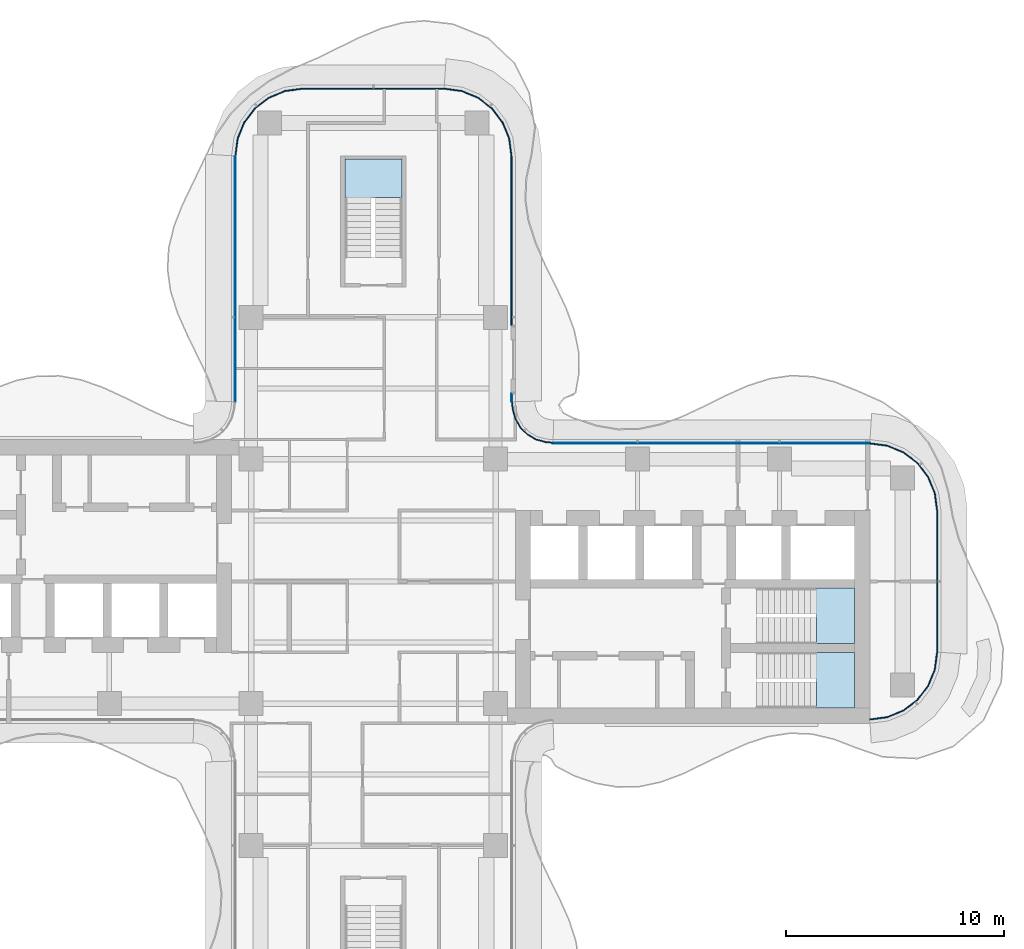
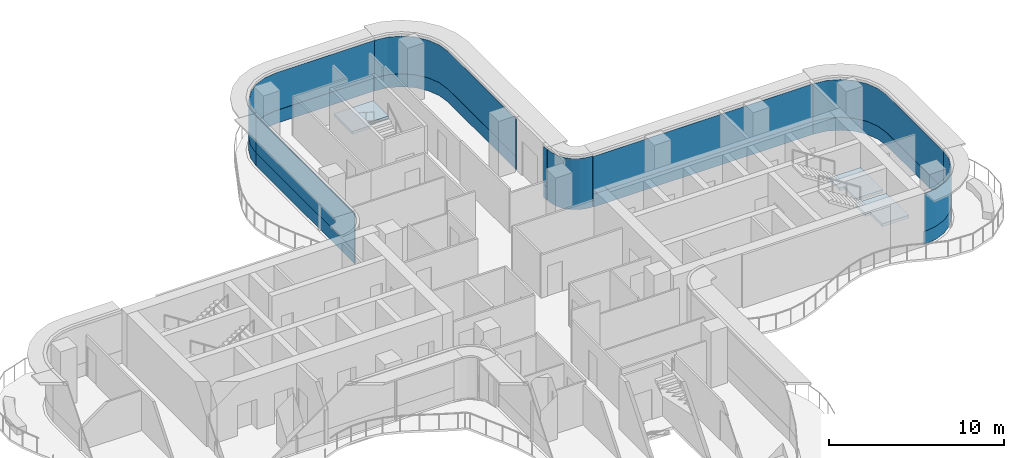
# One storey, part 10 of 17: 15 plates, 3 slabs, 11 elements without a shape of their own.
"""IFC4 building model written with IfcOpenShell, lengths in metres."""

from ifc_helpers import new_model, si_unit, direction, frame, origin, place, context, subcontext, project, spatial, polyline, outline, extrude, source, transform, mapped, material, layer, layer_set, type_object, element, aggregate, save


model = new_model("IFC4")

# Units and contexts
model_context = context("Model", 3, precision=1e-05, world=origin(), true_north=direction((0.0, 1.0)))
body_context = subcontext(model_context, "Body", "Model", "MODEL_VIEW")
ifc_project = project(units=[si_unit("LENGTHUNIT", "METRE"), si_unit("AREAUNIT", "SQUARE_METRE"), si_unit("VOLUMEUNIT", "CUBIC_METRE"), si_unit("PLANEANGLEUNIT", "RADIAN"), si_unit("MASSUNIT", "GRAM", prefix="KILO")], contexts=[model_context])

# Site, building, storey
site_placement = place(None, origin())
site = spatial("IfcSite", under=ifc_project, at=site_placement, CompositionType="ELEMENT")
building_placement = place(site_placement, origin())
building = spatial("IfcBuilding", under=site, at=building_placement, Name="Trellis Farm Tower", CompositionType="ELEMENT")
storey_placement = place(building_placement, frame((0.0, 0.0, 259.699951171875)))
storey = spatial("IfcBuildingStorey", under=building, at=storey_placement, Name="L58", CompositionType="ELEMENT", Elevation=259.699951171875)

# Curtain wall, plate
ifc_material_1 = material(Name="Aluminium and glass curtain wall", Category="aluminium")
ifc_layer_1 = layer(ifc_material_1, 0.18994140625)
ifc_layer_set_1 = layer_set([ifc_layer_1], Name="RIBBON CURTAIN WALL CW1")
curtain_wall_type_1 = type_object("IfcCurtainWallType", Name="RIBBON CURTAIN WALL CW1", PredefinedType="NOTDEFINED", material=ifc_layer_set_1)
placement_1 = place(storey_placement, origin())
curtain_wall_1 = element("IfcCurtainWall", 1, at=placement_1, inside=storey, type_object=curtain_wall_type_1, Name="CW1 008", PredefinedType="NOTDEFINED")
ifc_material_2 = material(Name="Clear insulated glass", Category="glass")
ifc_layer_2 = layer(ifc_material_2, 0.0400390625)
ifc_layer_set_2 = layer_set([ifc_layer_2], Name="CW1 GLASS PANEL 40")
plate_type_1 = type_object("IfcPlateType", Name="CW1 GLASS PANEL 40", PredefinedType="CURTAIN_PANEL", material=ifc_layer_set_2)
placement_2 = place(storey_placement, frame((0.0, 0.0, 0.900146484375)))
plate_1 = element("IfcPlate", 2, at=placement_2, type_object=plate_type_1, Name="PL1 008", PredefinedType="CURTAIN_PANEL", context=body_context, shape_type="SweptSolid", body=[
    extrude(outline(polyline([(6.35009765625, 8.2265625), (6.35009765625, 8.605712890625), (6.31005859375, 8.605712890625), (6.31005859375, 8.22509765625), (6.35009765625, 8.2265625)])), origin(), (0.0, 0.0, 1.0), 2.619873046875),
])

curtain_wall_2 = element("IfcCurtainWall", 3, at=placement_1, inside=storey, type_object=curtain_wall_type_1, Name="CW1 009", PredefinedType="NOTDEFINED")
plate_2 = element("IfcPlate", 4, at=placement_2, type_object=plate_type_1, Name="PL1 009", PredefinedType="CURTAIN_PANEL", context=body_context, shape_type="SweptSolid", body=[
    extrude(outline(polyline([(6.35009765625, 11.7255859375), (6.35009765625, 19.490234375), (6.2431640625, 20.302001953125), (5.93359375, 21.04931640625), (5.441162109375, 21.691162109375), (4.79931640625, 22.18359375), (4.052001953125, 22.4931640625), (3.240234375, 22.60009765625), (3.237548828125, 22.56005859375), (4.04150390625, 22.4541015625), (4.779296875, 22.148681640625), (5.41259765625, 21.66259765625), (5.898681640625, 21.029296875), (6.2041015625, 20.29150390625), (6.31005859375, 19.487548828125), (6.31005859375, 11.7255859375), (6.35009765625, 11.7255859375)])), origin(), (0.0, 0.0, 1.0), 2.619873046875),
])

# Plate
ifc_material_3 = material(Name="Sandstone faced insulated panel", Category="masonry")
ifc_layer_3 = layer(ifc_material_3, 0.050048828125)
ifc_layer_set_3 = layer_set([ifc_layer_3], Name="CW1 STONE SPANDREL PANEL 50")
plate_type_2 = type_object("IfcPlateType", Name="CW1 STONE SPANDREL PANEL 50", PredefinedType="CURTAIN_PANEL", material=ifc_layer_set_3)
plate_3 = element("IfcPlate", 5, at=placement_1, type_object=plate_type_2, Name="PS1 008", PredefinedType="CURTAIN_PANEL", context=body_context, shape_type="SweptSolid", body=[
    extrude(outline(polyline([(6.35009765625, 8.2265625), (6.35009765625, 8.605712890625), (6.300048828125, 8.605712890625), (6.300048828125, 8.224853515625), (6.35009765625, 8.2265625)])), origin(), (0.0, 0.0, 1.0), 0.900146484375),
])

aggregate(curtain_wall_1, [plate_1, plate_3])

plate_4 = element("IfcPlate", 6, at=placement_1, type_object=plate_type_2, Name="PS1 009", PredefinedType="CURTAIN_PANEL", context=body_context, shape_type="SweptSolid", body=[
    extrude(outline(polyline([(6.35009765625, 11.7255859375), (6.35009765625, 19.490234375), (6.2431640625, 20.302001953125), (5.93359375, 21.04931640625), (5.441162109375, 21.691162109375), (4.79931640625, 22.18359375), (4.052001953125, 22.4931640625), (3.240234375, 22.60009765625), (3.23681640625, 22.550048828125), (4.0390625, 22.4443359375), (4.774169921875, 22.139892578125), (5.405517578125, 21.655517578125), (5.889892578125, 21.024169921875), (6.1943359375, 20.2890625), (6.300048828125, 19.48681640625), (6.300048828125, 11.7255859375), (6.35009765625, 11.7255859375)])), origin(), (0.0, 0.0, 1.0), 0.900146484375),
])

aggregate(curtain_wall_2, [plate_2, plate_4])

# Stair, slab
ifc_material_4 = material(Name="Concrete C50/60", Category="concrete")
stair_type = type_object("IfcStairType", Name="CORE EXIT STAIR 22 RISERS 177 MM", PredefinedType="HALF_TURN_STAIR", material=ifc_material_4)
stair_1 = element("IfcStair", 7, at=placement_1, inside=storey, type_object=stair_type, Name="Exit stair N", PredefinedType="HALF_TURN_STAIR")
ifc_layer_4 = layer(ifc_material_4, 0.18994140625)
ifc_layer_set_4 = layer_set([ifc_layer_4], Name="CORE STAIR LANDING 190 CONCRETE C50/60")
slab_type = type_object("IfcSlabType", Name="CORE STAIR LANDING 190 CONCRETE C50/60", PredefinedType="LANDING", material=ifc_layer_set_4)
shared_shape_1 = source(origin(), body_context, "Body", "SweptSolid", [
    extrude(outline(polyline([(-0.10009765625, 17.27197265625), (-1.300048828125, 17.27197265625), (-1.300048828125, 17.60009765625), (-1.300048828125, 19.35009765625), (1.300048828125, 19.35009765625), (1.300048828125, 17.60009765625), (1.300048828125, 17.590087890625), (0.10009765625, 17.590087890625), (0.10009765625, 17.60009765625), (-0.10009765625, 17.60009765625), (-0.10009765625, 17.27197265625)])), origin(), (0.0, 0.0, 1.0), 0.18994140625),
])
placement_3 = place(storey_placement, frame((0.0, 0.0, 1.760009765625)))
slab_1 = element("IfcSlab", 8, at=placement_3, type_object=slab_type, Name="STN landing 1", PredefinedType="LANDING", context=body_context, shape_type="MappedRepresentation", body=[
    mapped(shared_shape_1, transform((0.0, 0.0, 0.0))),
])
aggregate(stair_1, [slab_1])

stair_2 = element("IfcStair", 9, at=placement_1, inside=storey, type_object=stair_type, Name="Exit stair E1", PredefinedType="HALF_TURN_STAIR")
shared_shape_2 = source(origin(), body_context, "Body", "SweptSolid", [
    extrude(outline(polyline([(20.2900390625, -5.800048828125), (20.2900390625, -4.60009765625), (20.300048828125, -4.60009765625), (20.300048828125, -4.449951171875), (19.971923828125, -4.449951171875), (19.971923828125, -3.25), (20.300048828125, -3.25), (22.050048828125, -3.25), (22.050048828125, -5.800048828125), (20.300048828125, -5.800048828125), (20.2900390625, -5.800048828125)])), origin(), (0.0, 0.0, 1.0), 0.18994140625),
])
slab_2 = element("IfcSlab", 10, at=placement_3, type_object=slab_type, Name="STE1 landing 1", PredefinedType="LANDING", context=body_context, shape_type="MappedRepresentation", body=[
    mapped(shared_shape_2, transform((0.0, 0.0, 0.0))),
])
aggregate(stair_2, [slab_2])

stair_3 = element("IfcStair", 11, at=placement_1, inside=storey, type_object=stair_type, Name="Exit stair E2", PredefinedType="HALF_TURN_STAIR")
shared_shape_3 = source(origin(), body_context, "Body", "SweptSolid", [
    extrude(outline(polyline([(20.2900390625, -2.85009765625), (20.2900390625, -1.64990234375), (20.300048828125, -1.64990234375), (20.300048828125, -1.5), (19.971923828125, -1.5), (19.971923828125, -0.300048828125), (20.300048828125, -0.300048828125), (22.050048828125, -0.300048828125), (22.050048828125, -2.85009765625), (20.300048828125, -2.85009765625), (20.2900390625, -2.85009765625)])), origin(), (0.0, 0.0, 1.0), 0.18994140625),
])
slab_3 = element("IfcSlab", 12, at=placement_3, type_object=slab_type, Name="STE2 landing 1", PredefinedType="LANDING", context=body_context, shape_type="MappedRepresentation", body=[
    mapped(shared_shape_3, transform((0.0, 0.0, 0.0))),
])
aggregate(stair_3, [slab_3])

# Curtain wall, plate
ifc_layer_5 = layer(ifc_material_1, 0.166015625)
ifc_layer_set_5 = layer_set([ifc_layer_5], Name="WINTER GARDEN CURTAIN WALL CW3")
curtain_wall_type_2 = type_object("IfcCurtainWallType", Name="WINTER GARDEN CURTAIN WALL CW3", PredefinedType="NOTDEFINED", material=ifc_layer_set_5)
curtain_wall_3 = element("IfcCurtainWall", 13, at=placement_1, inside=storey, type_object=curtain_wall_type_2, Name="CW3 003", PredefinedType="NOTDEFINED")
ifc_layer_6 = layer(ifc_material_2, 0.0458984375)
ifc_layer_set_6 = layer_set([ifc_layer_6], Name="CW3 GLASS PANEL 46")
plate_type_3 = type_object("IfcPlateType", Name="CW3 GLASS PANEL 46", PredefinedType="CURTAIN_PANEL", material=ifc_layer_set_6)
shared_shape_4 = source(origin(), body_context, "Body", "SweptSolid", [
    extrude(outline(polyline([(8.2275390625, 6.3798828125), (8.0078125, 6.394287109375), (7.89208984375, 6.40966796875), (7.462158203125, 6.52490234375), (7.070556640625, 6.7509765625), (6.7509765625, 7.070556640625), (6.52490234375, 7.462158203125), (6.40966796875, 7.89208984375), (6.394287109375, 8.0078125), (6.3798828125, 8.2275390625), (6.333984375, 8.22607421875), (6.3486328125, 8.003173828125), (6.364501953125, 7.883056640625), (6.48193359375, 7.4443359375), (6.714111328125, 7.04248046875), (7.04248046875, 6.714111328125), (7.4443359375, 6.48193359375), (7.883056640625, 6.364501953125), (8.003173828125, 6.3486328125), (8.22607421875, 6.333984375), (8.2275390625, 6.3798828125)])), origin(), (0.0, 0.0, 1.0), 3.550048828125),
])
plate_5 = element("IfcPlate", 14, at=placement_1, type_object=plate_type_3, Name="PL3 003", PredefinedType="CURTAIN_PANEL", context=body_context, shape_type="MappedRepresentation", body=[
    mapped(shared_shape_4, transform((0.0, 0.0, 0.0))),
])
aggregate(curtain_wall_3, [plate_5])

# Curtain wall, plates
curtain_wall_4 = element("IfcCurtainWall", 15, at=placement_1, inside=storey, type_object=curtain_wall_type_1, Name="CW1 011", PredefinedType="NOTDEFINED")
shared_shape_5 = source(origin(), body_context, "Body", "SweptSolid", [
    extrude(outline(polyline([(-6.35009765625, 19.490234375), (-6.35009765625, 8.2265625), (-6.31005859375, 8.22509765625), (-6.31005859375, 19.487548828125), (-6.35009765625, 19.490234375)])), origin(), (0.0, 0.0, 1.0), 2.619873046875),
])
plate_6 = element("IfcPlate", 16, at=placement_2, type_object=plate_type_1, Name="PL1 011", PredefinedType="CURTAIN_PANEL", context=body_context, shape_type="MappedRepresentation", body=[
    mapped(shared_shape_5, transform((0.0, 0.0, 0.0))),
])
shared_shape_6 = source(origin(), body_context, "Body", "SweptSolid", [
    extrude(outline(polyline([(-6.35009765625, 19.490234375), (-6.35009765625, 8.2265625), (-6.300048828125, 8.224853515625), (-6.300048828125, 19.48681640625), (-6.35009765625, 19.490234375)])), origin(), (0.0, 0.0, 1.0), 0.900146484375),
])
plate_7 = element("IfcPlate", 17, at=placement_1, type_object=plate_type_2, Name="PS1 011", PredefinedType="CURTAIN_PANEL", context=body_context, shape_type="MappedRepresentation", body=[
    mapped(shared_shape_6, transform((0.0, 0.0, 0.0))),
])
aggregate(curtain_wall_4, [plate_6, plate_7])

curtain_wall_5 = element("IfcCurtainWall", 18, at=placement_1, inside=storey, type_object=curtain_wall_type_1, Name="CW1 010", PredefinedType="NOTDEFINED")
shared_shape_7 = source(origin(), body_context, "Body", "SweptSolid", [
    extrude(outline(polyline([(3.240234375, 22.60009765625), (-3.240234375, 22.60009765625), (-4.052001953125, 22.4931640625), (-4.79931640625, 22.18359375), (-5.441162109375, 21.691162109375), (-5.93359375, 21.04931640625), (-6.2431640625, 20.302001953125), (-6.35009765625, 19.490234375), (-6.31005859375, 19.487548828125), (-6.2041015625, 20.29150390625), (-5.898681640625, 21.029296875), (-5.41259765625, 21.66259765625), (-4.779296875, 22.148681640625), (-4.04150390625, 22.4541015625), (-3.237548828125, 22.56005859375), (3.237548828125, 22.56005859375), (3.240234375, 22.60009765625)])), origin(), (0.0, 0.0, 1.0), 2.619873046875),
])
plate_8 = element("IfcPlate", 19, at=placement_2, type_object=plate_type_1, Name="PL1 010", PredefinedType="CURTAIN_PANEL", context=body_context, shape_type="MappedRepresentation", body=[
    mapped(shared_shape_7, transform((0.0, 0.0, 0.0))),
])
shared_shape_8 = source(origin(), body_context, "Body", "SweptSolid", [
    extrude(outline(polyline([(3.240234375, 22.60009765625), (-3.240234375, 22.60009765625), (-4.052001953125, 22.4931640625), (-4.79931640625, 22.18359375), (-5.441162109375, 21.691162109375), (-5.93359375, 21.04931640625), (-6.2431640625, 20.302001953125), (-6.35009765625, 19.490234375), (-6.300048828125, 19.48681640625), (-6.1943359375, 20.2890625), (-5.889892578125, 21.024169921875), (-5.405517578125, 21.655517578125), (-4.774169921875, 22.139892578125), (-4.0390625, 22.4443359375), (-3.23681640625, 22.550048828125), (3.23681640625, 22.550048828125), (3.240234375, 22.60009765625)])), origin(), (0.0, 0.0, 1.0), 0.900146484375),
])
plate_9 = element("IfcPlate", 20, at=placement_1, type_object=plate_type_2, Name="PS1 010", PredefinedType="CURTAIN_PANEL", context=body_context, shape_type="MappedRepresentation", body=[
    mapped(shared_shape_8, transform((0.0, 0.0, 0.0))),
])
aggregate(curtain_wall_5, [plate_8, plate_9])

curtain_wall_6 = element("IfcCurtainWall", 21, at=placement_1, inside=storey, type_object=curtain_wall_type_1, Name="CW1 005", PredefinedType="NOTDEFINED")
shared_shape_9 = source(origin(), body_context, "Body", "SweptSolid", [
    extrude(outline(polyline([(22.740234375, -6.35009765625), (23.552001953125, -6.2431640625), (24.29931640625, -5.93359375), (24.941162109375, -5.441162109375), (25.43359375, -4.79931640625), (25.7431640625, -4.052001953125), (25.85009765625, -3.240234375), (25.81005859375, -3.237548828125), (25.7041015625, -4.04150390625), (25.398681640625, -4.779296875), (24.91259765625, -5.41259765625), (24.279296875, -5.898681640625), (23.54150390625, -6.2041015625), (22.737548828125, -6.31005859375), (22.740234375, -6.35009765625)])), origin(), (0.0, 0.0, 1.0), 2.619873046875),
])
plate_10 = element("IfcPlate", 22, at=placement_2, type_object=plate_type_1, Name="PL1 005", PredefinedType="CURTAIN_PANEL", context=body_context, shape_type="MappedRepresentation", body=[
    mapped(shared_shape_9, transform((0.0, 0.0, 0.0))),
])
shared_shape_10 = source(origin(), body_context, "Body", "SweptSolid", [
    extrude(outline(polyline([(22.740234375, -6.35009765625), (23.552001953125, -6.2431640625), (24.29931640625, -5.93359375), (24.941162109375, -5.441162109375), (25.43359375, -4.79931640625), (25.7431640625, -4.052001953125), (25.85009765625, -3.240234375), (25.800048828125, -3.23681640625), (25.6943359375, -4.0390625), (25.389892578125, -4.774169921875), (24.905517578125, -5.405517578125), (24.274169921875, -5.889892578125), (23.5390625, -6.1943359375), (22.73681640625, -6.300048828125), (22.740234375, -6.35009765625)])), origin(), (0.0, 0.0, 1.0), 0.900146484375),
])
plate_11 = element("IfcPlate", 23, at=placement_1, type_object=plate_type_2, Name="PS1 005", PredefinedType="CURTAIN_PANEL", context=body_context, shape_type="MappedRepresentation", body=[
    mapped(shared_shape_10, transform((0.0, 0.0, 0.0))),
])
aggregate(curtain_wall_6, [plate_10, plate_11])

curtain_wall_7 = element("IfcCurtainWall", 24, at=placement_1, inside=storey, type_object=curtain_wall_type_1, Name="CW1 007", PredefinedType="NOTDEFINED")
shared_shape_11 = source(origin(), body_context, "Body", "SweptSolid", [
    extrude(outline(polyline([(22.740234375, 6.35009765625), (8.2265625, 6.35009765625), (8.22509765625, 6.31005859375), (22.737548828125, 6.31005859375), (22.740234375, 6.35009765625)])), origin(), (0.0, 0.0, 1.0), 2.619873046875),
])
plate_12 = element("IfcPlate", 25, at=placement_2, type_object=plate_type_1, Name="PL1 007", PredefinedType="CURTAIN_PANEL", context=body_context, shape_type="MappedRepresentation", body=[
    mapped(shared_shape_11, transform((0.0, 0.0, 0.0))),
])
shared_shape_12 = source(origin(), body_context, "Body", "SweptSolid", [
    extrude(outline(polyline([(22.740234375, 6.35009765625), (8.2265625, 6.35009765625), (8.224853515625, 6.300048828125), (22.73681640625, 6.300048828125), (22.740234375, 6.35009765625)])), origin(), (0.0, 0.0, 1.0), 0.900146484375),
])
plate_13 = element("IfcPlate", 26, at=placement_1, type_object=plate_type_2, Name="PS1 007", PredefinedType="CURTAIN_PANEL", context=body_context, shape_type="MappedRepresentation", body=[
    mapped(shared_shape_12, transform((0.0, 0.0, 0.0))),
])
aggregate(curtain_wall_7, [plate_12, plate_13])

curtain_wall_8 = element("IfcCurtainWall", 27, at=placement_1, inside=storey, type_object=curtain_wall_type_1, Name="CW1 006", PredefinedType="NOTDEFINED")
shared_shape_13 = source(origin(), body_context, "Body", "SweptSolid", [
    extrude(outline(polyline([(25.85009765625, -3.240234375), (25.85009765625, 3.240234375), (25.7431640625, 4.052001953125), (25.43359375, 4.79931640625), (24.941162109375, 5.441162109375), (24.29931640625, 5.93359375), (23.552001953125, 6.2431640625), (22.740234375, 6.35009765625), (22.737548828125, 6.31005859375), (23.54150390625, 6.2041015625), (24.279296875, 5.898681640625), (24.91259765625, 5.41259765625), (25.398681640625, 4.779296875), (25.7041015625, 4.04150390625), (25.81005859375, 3.237548828125), (25.81005859375, -3.237548828125), (25.85009765625, -3.240234375)])), origin(), (0.0, 0.0, 1.0), 2.619873046875),
])
plate_14 = element("IfcPlate", 28, at=placement_2, type_object=plate_type_1, Name="PL1 006", PredefinedType="CURTAIN_PANEL", context=body_context, shape_type="MappedRepresentation", body=[
    mapped(shared_shape_13, transform((0.0, 0.0, 0.0))),
])
shared_shape_14 = source(origin(), body_context, "Body", "SweptSolid", [
    extrude(outline(polyline([(25.85009765625, -3.240234375), (25.85009765625, 3.240234375), (25.7431640625, 4.052001953125), (25.43359375, 4.79931640625), (24.941162109375, 5.441162109375), (24.29931640625, 5.93359375), (23.552001953125, 6.2431640625), (22.740234375, 6.35009765625), (22.73681640625, 6.300048828125), (23.5390625, 6.1943359375), (24.274169921875, 5.889892578125), (24.905517578125, 5.405517578125), (25.389892578125, 4.774169921875), (25.6943359375, 4.0390625), (25.800048828125, 3.23681640625), (25.800048828125, -3.23681640625), (25.85009765625, -3.240234375)])), origin(), (0.0, 0.0, 1.0), 0.900146484375),
])
plate_15 = element("IfcPlate", 29, at=placement_1, type_object=plate_type_2, Name="PS1 006", PredefinedType="CURTAIN_PANEL", context=body_context, shape_type="MappedRepresentation", body=[
    mapped(shared_shape_14, transform((0.0, 0.0, 0.0))),
])
aggregate(curtain_wall_8, [plate_14, plate_15])

save(model, "model.ifc")
